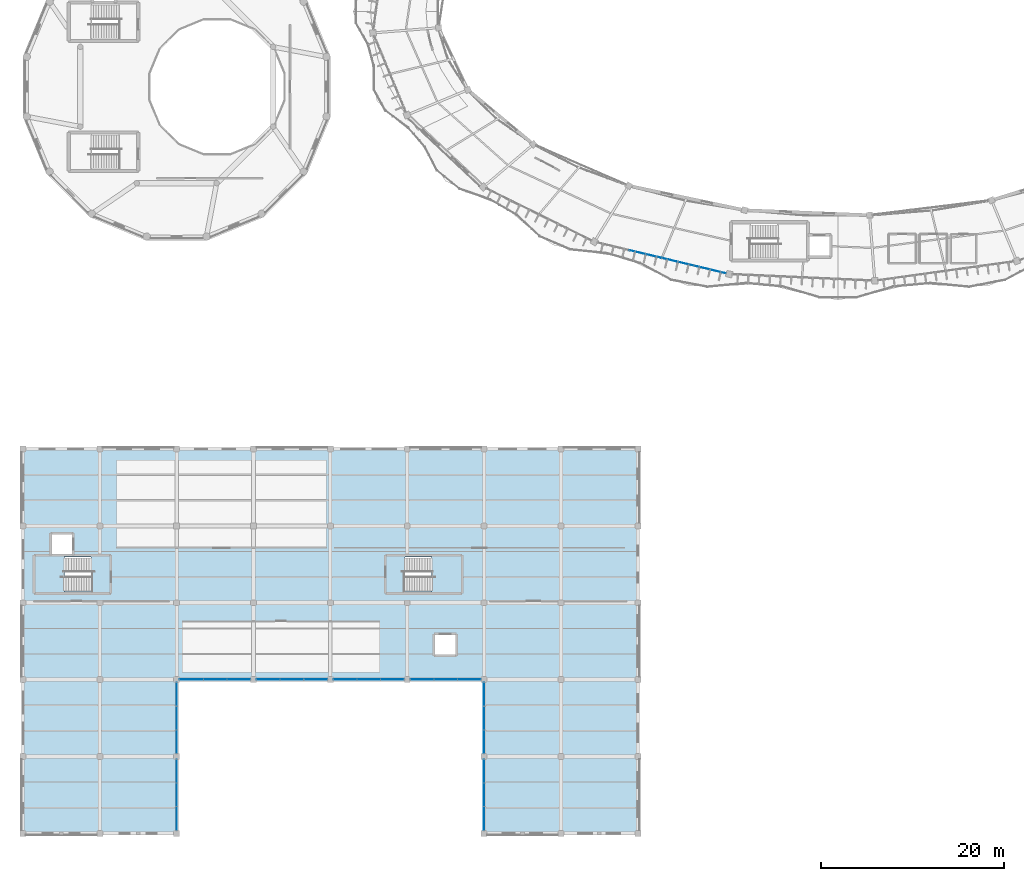
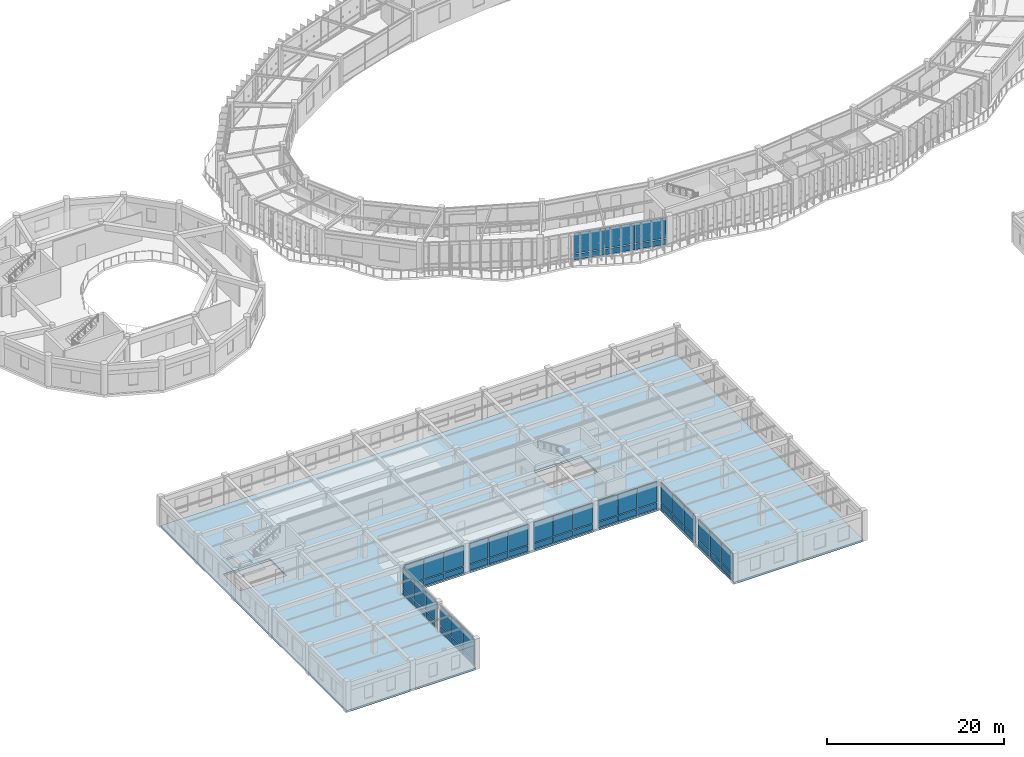
# One storey, part 103 of 138: 54 plates, 3 slabs, 11 elements without a shape of their own.
"""IFC4 building model written with IfcOpenShell, lengths in metres."""

from ifc_helpers import new_model, si_unit, direction, frame, origin, origin_2d, place, context, subcontext, project, spatial, polyline, rectangle, outline, extrude, material, layer, layer_set, type_object, element, aggregate, save


model = new_model("IFC4")

# Units and contexts
model_context = context("Model", 3, precision=1e-05, world=origin(), true_north=direction((0.0, 1.0)))
body_context = subcontext(model_context, "Body", "Model", "MODEL_VIEW")
ifc_project = project(units=[si_unit("LENGTHUNIT", "METRE"), si_unit("AREAUNIT", "SQUARE_METRE"), si_unit("VOLUMEUNIT", "CUBIC_METRE"), si_unit("PLANEANGLEUNIT", "RADIAN"), si_unit("MASSUNIT", "GRAM", prefix="KILO"), si_unit("THERMODYNAMICTEMPERATUREUNIT", "KELVIN"), si_unit("POWERUNIT", "WATT")], contexts=[model_context])

# Site, building, storey
site_placement = place(None, origin())
site = spatial("IfcSite", under=ifc_project, at=site_placement, CompositionType="ELEMENT")
building_placement = place(site_placement, origin())
building = spatial("IfcBuilding", under=site, at=building_placement, Name="Darbajah Civic Hall", CompositionType="ELEMENT")
storey_placement = place(building_placement, frame((0.0, 0.0, 9.60009765625)))
storey = spatial("IfcBuildingStorey", under=building, at=storey_placement, Name="L02", CompositionType="ELEMENT", Elevation=9.60009765625)

# Curtain wall, plates
ifc_material_1 = material(Name="Anodised Bronze Aluminium and Low-E Glazing", Category="aluminium")
curtain_wall_type_1 = type_object("IfcCurtainWallType", Name="Unitised Curtain Wall CW-48 14500x3900", PredefinedType="USERDEFINED", material=ifc_material_1)
curtain_wall_1_placement = place(storey_placement, origin())
curtain_wall_1 = element("IfcCurtainWall", 1, at=curtain_wall_1_placement, inside=storey, type_object=curtain_wall_type_1, Name="L02 unitised curtain wall CW-V1O-L02-13", ObjectType="UNITISED CURTAIN WALL", PredefinedType="USERDEFINED")
ifc_material_2 = material(Name="Low-E Solar Control Double Glazing", Category="glass")
ifc_layer_1 = layer(ifc_material_2, 0.028076171875, Name="Low-E Solar Control Double Glazing")
ifc_layer_set_1 = layer_set([ifc_layer_1], Name="Low-E Solar Control Double Glazing")
plate_type_1 = type_object("IfcPlateType", Name="Solar Double Glazing 28mm", PredefinedType="CURTAIN_PANEL", material=ifc_layer_set_1)
plate_1_placement = place(storey_placement, frame((68.06640625, 63.302001953125, 0.119873046875), z_axis=(0.0, 0.0, 1.0), x_axis=(0.972492018808, -0.232936200179, 0.0)))
plate_1 = element("IfcPlate", 2, at=plate_1_placement, type_object=plate_type_1, Name="CW-V1O-L02-13 glazed panel 2.1", PredefinedType="CURTAIN_PANEL", context=body_context, shape_type="SweptSolid", body=[
    extrude(rectangle(XDim=3.543701171875, YDim=0.028076171875, at=origin_2d()), origin(), (0.0, 0.0, 1.0), 0.77001953125),
])
plate_2_placement = place(storey_placement, frame((68.06640625, 63.302001953125, 1.009765625), z_axis=(0.0, 0.0, 1.0), x_axis=(0.972492018808, -0.232936200179, 0.0)))
plate_2 = element("IfcPlate", 3, at=plate_2_placement, type_object=plate_type_1, Name="CW-V1O-L02-13 glazed panel 2.2", PredefinedType="CURTAIN_PANEL", context=body_context, shape_type="SweptSolid", body=[
    extrude(rectangle(XDim=3.543701171875, YDim=0.028076171875, at=origin_2d()), origin(), (0.0, 0.0, 1.0), 2.7900390625),
])
plate_3_placement = place(storey_placement, frame((71.58056640625, 62.460205078125, 0.119873046875), z_axis=(0.0, 0.0, 1.0), x_axis=(0.972492018808, -0.232936200179, 0.0)))
plate_3 = element("IfcPlate", 4, at=plate_3_placement, type_object=plate_type_1, Name="CW-V1O-L02-13 glazed panel 3.1", PredefinedType="CURTAIN_PANEL", context=body_context, shape_type="SweptSolid", body=[
    extrude(rectangle(XDim=3.543701171875, YDim=0.028076171875, at=origin_2d()), origin(), (0.0, 0.0, 1.0), 0.77001953125),
])
plate_4_placement = place(storey_placement, frame((71.58056640625, 62.460205078125, 1.009765625), z_axis=(0.0, 0.0, 1.0), x_axis=(0.972492018808, -0.232936200179, 0.0)))
plate_4 = element("IfcPlate", 5, at=plate_4_placement, type_object=plate_type_1, Name="CW-V1O-L02-13 glazed panel 3.2", PredefinedType="CURTAIN_PANEL", context=body_context, shape_type="SweptSolid", body=[
    extrude(rectangle(XDim=3.543701171875, YDim=0.028076171875, at=origin_2d()), origin(), (0.0, 0.0, 1.0), 2.7900390625),
])
plate_5_placement = place(storey_placement, frame((75.094970703125, 61.6181640625, 0.119873046875), z_axis=(0.0, 0.0, 1.0), x_axis=(0.972492018808, -0.232936200179, 0.0)))
plate_5 = element("IfcPlate", 6, at=plate_5_placement, type_object=plate_type_1, Name="CW-V1O-L02-13 glazed panel 4.1", PredefinedType="CURTAIN_PANEL", context=body_context, shape_type="SweptSolid", body=[
    extrude(rectangle(XDim=3.543701171875, YDim=0.028076171875, at=origin_2d()), origin(), (0.0, 0.0, 1.0), 0.77001953125),
])
plate_6_placement = place(storey_placement, frame((75.094970703125, 61.6181640625, 1.009765625), z_axis=(0.0, 0.0, 1.0), x_axis=(0.972492018808, -0.232936200179, 0.0)))
plate_6 = element("IfcPlate", 7, at=plate_6_placement, type_object=plate_type_1, Name="CW-V1O-L02-13 glazed panel 4.2", PredefinedType="CURTAIN_PANEL", context=body_context, shape_type="SweptSolid", body=[
    extrude(rectangle(XDim=3.543701171875, YDim=0.028076171875, at=origin_2d()), origin(), (0.0, 0.0, 1.0), 2.7900390625),
])
aggregate(curtain_wall_1, [plate_1, plate_2, plate_3, plate_4, plate_5, plate_6])

curtain_wall_type_2 = type_object("IfcCurtainWallType", Name="Unitised Curtain Wall CW-99 7700x3950", PredefinedType="USERDEFINED", material=ifc_material_1)
curtain_wall_2_placement = place(storey_placement, origin())
curtain_wall_2 = element("IfcCurtainWall", 8, at=curtain_wall_2_placement, inside=storey, type_object=curtain_wall_type_2, Name="L02 unitised curtain wall CW-V5-L02-S1-B0", ObjectType="UNITISED CURTAIN WALL", PredefinedType="USERDEFINED")
ifc_layer_2 = layer(ifc_material_2, 0.031982421875, Name="Low-E Solar Control Double Glazing")
ifc_layer_set_2 = layer_set([ifc_layer_2], Name="Low-E Solar Control Double Glazing")
plate_type_2 = type_object("IfcPlateType", Name="Solar Double Glazing 32mm", PredefinedType="CURTAIN_PANEL", material=ifc_layer_set_2)
plate_7_placement = place(storey_placement, frame((16.800048828125, 1.617919921875, 0.119873046875), z_axis=(0.0, 0.0, 1.0), x_axis=(0.0, 1.0, 0.0)))
plate_7 = element("IfcPlate", 9, at=plate_7_placement, type_object=plate_type_2, Name="CW-V5-L02-S1-B0 glazed panel 1.1", PredefinedType="CURTAIN_PANEL", context=body_context, shape_type="SweptSolid", body=[
    extrude(rectangle(XDim=2.511962890625, YDim=0.031982421875, at=origin_2d()), origin(), (0.0, 0.0, 1.0), 0.77001953125),
])
plate_8_placement = place(storey_placement, frame((16.800048828125, 1.617919921875, 1.009765625), z_axis=(0.0, 0.0, 1.0), x_axis=(0.0, 1.0, 0.0)))
plate_8 = element("IfcPlate", 10, at=plate_8_placement, type_object=plate_type_2, Name="CW-V5-L02-S1-B0 glazed panel 1.2", PredefinedType="CURTAIN_PANEL", context=body_context, shape_type="SweptSolid", body=[
    extrude(rectangle(XDim=2.511962890625, YDim=0.031982421875, at=origin_2d()), origin(), (0.0, 0.0, 1.0), 2.81005859375),
])
plate_9_placement = place(storey_placement, frame((16.800048828125, 4.199951171875, 0.119873046875), z_axis=(0.0, 0.0, 1.0), x_axis=(0.0, 1.0, 0.0)))
plate_9 = element("IfcPlate", 11, at=plate_9_placement, type_object=plate_type_2, Name="CW-V5-L02-S1-B0 glazed panel 2.1", PredefinedType="CURTAIN_PANEL", context=body_context, shape_type="SweptSolid", body=[
    extrude(rectangle(XDim=2.511962890625, YDim=0.031982421875, at=origin_2d()), origin(), (0.0, 0.0, 1.0), 0.77001953125),
])
plate_10_placement = place(storey_placement, frame((16.800048828125, 4.199951171875, 1.009765625), z_axis=(0.0, 0.0, 1.0), x_axis=(0.0, 1.0, 0.0)))
plate_10 = element("IfcPlate", 12, at=plate_10_placement, type_object=plate_type_2, Name="CW-V5-L02-S1-B0 glazed panel 2.2", PredefinedType="CURTAIN_PANEL", context=body_context, shape_type="SweptSolid", body=[
    extrude(rectangle(XDim=2.511962890625, YDim=0.031982421875, at=origin_2d()), origin(), (0.0, 0.0, 1.0), 2.81005859375),
])
plate_11_placement = place(storey_placement, frame((16.800048828125, 6.781982421875, 0.119873046875), z_axis=(0.0, 0.0, 1.0), x_axis=(0.0, 1.0, 0.0)))
plate_11 = element("IfcPlate", 13, at=plate_11_placement, type_object=plate_type_2, Name="CW-V5-L02-S1-B0 glazed panel 3.1", PredefinedType="CURTAIN_PANEL", context=body_context, shape_type="SweptSolid", body=[
    extrude(rectangle(XDim=2.511962890625, YDim=0.031982421875, at=origin_2d()), origin(), (0.0, 0.0, 1.0), 0.77001953125),
])
plate_12_placement = place(storey_placement, frame((16.800048828125, 6.781982421875, 1.009765625), z_axis=(0.0, 0.0, 1.0), x_axis=(0.0, 1.0, 0.0)))
plate_12 = element("IfcPlate", 14, at=plate_12_placement, type_object=plate_type_2, Name="CW-V5-L02-S1-B0 glazed panel 3.2", PredefinedType="CURTAIN_PANEL", context=body_context, shape_type="SweptSolid", body=[
    extrude(rectangle(XDim=2.511962890625, YDim=0.031982421875, at=origin_2d()), origin(), (0.0, 0.0, 1.0), 2.81005859375),
])
aggregate(curtain_wall_2, [plate_7, plate_8, plate_9, plate_10, plate_11, plate_12])

curtain_wall_3_placement = place(storey_placement, origin())
curtain_wall_3 = element("IfcCurtainWall", 15, at=curtain_wall_3_placement, inside=storey, type_object=curtain_wall_type_2, Name="L02 unitised curtain wall CW-V5-L02-S1-B1", ObjectType="UNITISED CURTAIN WALL", PredefinedType="USERDEFINED")
plate_13_placement = place(storey_placement, frame((16.800048828125, 10.01806640625, 0.119873046875), z_axis=(0.0, 0.0, 1.0), x_axis=(0.0, 1.0, 0.0)))
plate_13 = element("IfcPlate", 16, at=plate_13_placement, type_object=plate_type_2, Name="CW-V5-L02-S1-B1 glazed panel 1.1", PredefinedType="CURTAIN_PANEL", context=body_context, shape_type="SweptSolid", body=[
    extrude(rectangle(XDim=2.511962890625, YDim=0.031982421875, at=origin_2d()), origin(), (0.0, 0.0, 1.0), 0.77001953125),
])
plate_14_placement = place(storey_placement, frame((16.800048828125, 10.01806640625, 1.009765625), z_axis=(0.0, 0.0, 1.0), x_axis=(0.0, 1.0, 0.0)))
plate_14 = element("IfcPlate", 17, at=plate_14_placement, type_object=plate_type_2, Name="CW-V5-L02-S1-B1 glazed panel 1.2", PredefinedType="CURTAIN_PANEL", context=body_context, shape_type="SweptSolid", body=[
    extrude(rectangle(XDim=2.511962890625, YDim=0.031982421875, at=origin_2d()), origin(), (0.0, 0.0, 1.0), 2.81005859375),
])
plate_15_placement = place(storey_placement, frame((16.800048828125, 12.60009765625, 0.119873046875), z_axis=(0.0, 0.0, 1.0), x_axis=(0.0, 1.0, 0.0)))
plate_15 = element("IfcPlate", 18, at=plate_15_placement, type_object=plate_type_2, Name="CW-V5-L02-S1-B1 glazed panel 2.1", PredefinedType="CURTAIN_PANEL", context=body_context, shape_type="SweptSolid", body=[
    extrude(rectangle(XDim=2.511962890625, YDim=0.031982421875, at=origin_2d()), origin(), (0.0, 0.0, 1.0), 0.77001953125),
])
plate_16_placement = place(storey_placement, frame((16.800048828125, 12.60009765625, 1.009765625), z_axis=(0.0, 0.0, 1.0), x_axis=(0.0, 1.0, 0.0)))
plate_16 = element("IfcPlate", 19, at=plate_16_placement, type_object=plate_type_2, Name="CW-V5-L02-S1-B1 glazed panel 2.2", PredefinedType="CURTAIN_PANEL", context=body_context, shape_type="SweptSolid", body=[
    extrude(rectangle(XDim=2.511962890625, YDim=0.031982421875, at=origin_2d()), origin(), (0.0, 0.0, 1.0), 2.81005859375),
])
plate_17_placement = place(storey_placement, frame((16.800048828125, 15.181884765625, 0.119873046875), z_axis=(0.0, 0.0, 1.0), x_axis=(0.0, 1.0, 0.0)))
plate_17 = element("IfcPlate", 20, at=plate_17_placement, type_object=plate_type_2, Name="CW-V5-L02-S1-B1 glazed panel 3.1", PredefinedType="CURTAIN_PANEL", context=body_context, shape_type="SweptSolid", body=[
    extrude(rectangle(XDim=2.511962890625, YDim=0.031982421875, at=origin_2d()), origin(), (0.0, 0.0, 1.0), 0.77001953125),
])
plate_18_placement = place(storey_placement, frame((16.800048828125, 15.181884765625, 1.009765625), z_axis=(0.0, 0.0, 1.0), x_axis=(0.0, 1.0, 0.0)))
plate_18 = element("IfcPlate", 21, at=plate_18_placement, type_object=plate_type_2, Name="CW-V5-L02-S1-B1 glazed panel 3.2", PredefinedType="CURTAIN_PANEL", context=body_context, shape_type="SweptSolid", body=[
    extrude(rectangle(XDim=2.511962890625, YDim=0.031982421875, at=origin_2d()), origin(), (0.0, 0.0, 1.0), 2.81005859375),
])
aggregate(curtain_wall_3, [plate_13, plate_14, plate_15, plate_16, plate_17, plate_18])

curtain_wall_4_placement = place(storey_placement, origin())
curtain_wall_4 = element("IfcCurtainWall", 22, at=curtain_wall_4_placement, inside=storey, type_object=curtain_wall_type_2, Name="L02 unitised curtain wall CW-V5-L02-S2-B0", ObjectType="UNITISED CURTAIN WALL", PredefinedType="USERDEFINED")
plate_19_placement = place(storey_placement, frame((18.41796875, 16.800048828125, 0.119873046875), z_axis=(0.0, 0.0, 1.0), x_axis=(1.0, 0.0, 0.0)))
plate_19 = element("IfcPlate", 23, at=plate_19_placement, type_object=plate_type_2, Name="CW-V5-L02-S2-B0 glazed panel 1.1", PredefinedType="CURTAIN_PANEL", context=body_context, shape_type="SweptSolid", body=[
    extrude(rectangle(XDim=2.511962890625, YDim=0.031982421875, at=origin_2d()), origin(), (0.0, 0.0, 1.0), 0.77001953125),
])
plate_20_placement = place(storey_placement, frame((18.41796875, 16.800048828125, 1.009765625), z_axis=(0.0, 0.0, 1.0), x_axis=(1.0, 0.0, 0.0)))
plate_20 = element("IfcPlate", 24, at=plate_20_placement, type_object=plate_type_2, Name="CW-V5-L02-S2-B0 glazed panel 1.2", PredefinedType="CURTAIN_PANEL", context=body_context, shape_type="SweptSolid", body=[
    extrude(rectangle(XDim=2.511962890625, YDim=0.031982421875, at=origin_2d()), origin(), (0.0, 0.0, 1.0), 2.81005859375),
])
plate_21_placement = place(storey_placement, frame((21.0, 16.800048828125, 0.119873046875), z_axis=(0.0, 0.0, 1.0), x_axis=(1.0, 0.0, 0.0)))
plate_21 = element("IfcPlate", 25, at=plate_21_placement, type_object=plate_type_2, Name="CW-V5-L02-S2-B0 glazed panel 2.1", PredefinedType="CURTAIN_PANEL", context=body_context, shape_type="SweptSolid", body=[
    extrude(rectangle(XDim=2.511962890625, YDim=0.031982421875, at=origin_2d()), origin(), (0.0, 0.0, 1.0), 0.77001953125),
])
plate_22_placement = place(storey_placement, frame((21.0, 16.800048828125, 1.009765625), z_axis=(0.0, 0.0, 1.0), x_axis=(1.0, 0.0, 0.0)))
plate_22 = element("IfcPlate", 26, at=plate_22_placement, type_object=plate_type_2, Name="CW-V5-L02-S2-B0 glazed panel 2.2", PredefinedType="CURTAIN_PANEL", context=body_context, shape_type="SweptSolid", body=[
    extrude(rectangle(XDim=2.511962890625, YDim=0.031982421875, at=origin_2d()), origin(), (0.0, 0.0, 1.0), 2.81005859375),
])
plate_23_placement = place(storey_placement, frame((23.58203125, 16.800048828125, 0.119873046875), z_axis=(0.0, 0.0, 1.0), x_axis=(1.0, 0.0, 0.0)))
plate_23 = element("IfcPlate", 27, at=plate_23_placement, type_object=plate_type_2, Name="CW-V5-L02-S2-B0 glazed panel 3.1", PredefinedType="CURTAIN_PANEL", context=body_context, shape_type="SweptSolid", body=[
    extrude(rectangle(XDim=2.511962890625, YDim=0.031982421875, at=origin_2d()), origin(), (0.0, 0.0, 1.0), 0.77001953125),
])
plate_24_placement = place(storey_placement, frame((23.58203125, 16.800048828125, 1.009765625), z_axis=(0.0, 0.0, 1.0), x_axis=(1.0, 0.0, 0.0)))
plate_24 = element("IfcPlate", 28, at=plate_24_placement, type_object=plate_type_2, Name="CW-V5-L02-S2-B0 glazed panel 3.2", PredefinedType="CURTAIN_PANEL", context=body_context, shape_type="SweptSolid", body=[
    extrude(rectangle(XDim=2.511962890625, YDim=0.031982421875, at=origin_2d()), origin(), (0.0, 0.0, 1.0), 2.81005859375),
])
aggregate(curtain_wall_4, [plate_19, plate_20, plate_21, plate_22, plate_23, plate_24])

curtain_wall_5_placement = place(storey_placement, origin())
curtain_wall_5 = element("IfcCurtainWall", 29, at=curtain_wall_5_placement, inside=storey, type_object=curtain_wall_type_2, Name="L02 unitised curtain wall CW-V5-L02-S2-B1", ObjectType="UNITISED CURTAIN WALL", PredefinedType="USERDEFINED")
plate_25_placement = place(storey_placement, frame((26.818115234375, 16.800048828125, 0.119873046875), z_axis=(0.0, 0.0, 1.0), x_axis=(1.0, 0.0, 0.0)))
plate_25 = element("IfcPlate", 30, at=plate_25_placement, type_object=plate_type_2, Name="CW-V5-L02-S2-B1 glazed panel 1.1", PredefinedType="CURTAIN_PANEL", context=body_context, shape_type="SweptSolid", body=[
    extrude(rectangle(XDim=2.511962890625, YDim=0.031982421875, at=origin_2d()), origin(), (0.0, 0.0, 1.0), 0.77001953125),
])
plate_26_placement = place(storey_placement, frame((26.818115234375, 16.800048828125, 1.009765625), z_axis=(0.0, 0.0, 1.0), x_axis=(1.0, 0.0, 0.0)))
plate_26 = element("IfcPlate", 31, at=plate_26_placement, type_object=plate_type_2, Name="CW-V5-L02-S2-B1 glazed panel 1.2", PredefinedType="CURTAIN_PANEL", context=body_context, shape_type="SweptSolid", body=[
    extrude(rectangle(XDim=2.511962890625, YDim=0.031982421875, at=origin_2d()), origin(), (0.0, 0.0, 1.0), 2.81005859375),
])
plate_27_placement = place(storey_placement, frame((29.39990234375, 16.800048828125, 0.119873046875), z_axis=(0.0, 0.0, 1.0), x_axis=(1.0, 0.0, 0.0)))
plate_27 = element("IfcPlate", 32, at=plate_27_placement, type_object=plate_type_2, Name="CW-V5-L02-S2-B1 glazed panel 2.1", PredefinedType="CURTAIN_PANEL", context=body_context, shape_type="SweptSolid", body=[
    extrude(rectangle(XDim=2.511962890625, YDim=0.031982421875, at=origin_2d()), origin(), (0.0, 0.0, 1.0), 0.77001953125),
])
plate_28_placement = place(storey_placement, frame((29.39990234375, 16.800048828125, 1.009765625), z_axis=(0.0, 0.0, 1.0), x_axis=(1.0, 0.0, 0.0)))
plate_28 = element("IfcPlate", 33, at=plate_28_placement, type_object=plate_type_2, Name="CW-V5-L02-S2-B1 glazed panel 2.2", PredefinedType="CURTAIN_PANEL", context=body_context, shape_type="SweptSolid", body=[
    extrude(rectangle(XDim=2.511962890625, YDim=0.031982421875, at=origin_2d()), origin(), (0.0, 0.0, 1.0), 2.81005859375),
])
plate_29_placement = place(storey_placement, frame((31.98193359375, 16.800048828125, 0.119873046875), z_axis=(0.0, 0.0, 1.0), x_axis=(1.0, 0.0, 0.0)))
plate_29 = element("IfcPlate", 34, at=plate_29_placement, type_object=plate_type_2, Name="CW-V5-L02-S2-B1 glazed panel 3.1", PredefinedType="CURTAIN_PANEL", context=body_context, shape_type="SweptSolid", body=[
    extrude(rectangle(XDim=2.511962890625, YDim=0.031982421875, at=origin_2d()), origin(), (0.0, 0.0, 1.0), 0.77001953125),
])
plate_30_placement = place(storey_placement, frame((31.98193359375, 16.800048828125, 1.009765625), z_axis=(0.0, 0.0, 1.0), x_axis=(1.0, 0.0, 0.0)))
plate_30 = element("IfcPlate", 35, at=plate_30_placement, type_object=plate_type_2, Name="CW-V5-L02-S2-B1 glazed panel 3.2", PredefinedType="CURTAIN_PANEL", context=body_context, shape_type="SweptSolid", body=[
    extrude(rectangle(XDim=2.511962890625, YDim=0.031982421875, at=origin_2d()), origin(), (0.0, 0.0, 1.0), 2.81005859375),
])
aggregate(curtain_wall_5, [plate_25, plate_26, plate_27, plate_28, plate_29, plate_30])

curtain_wall_6_placement = place(storey_placement, origin())
curtain_wall_6 = element("IfcCurtainWall", 36, at=curtain_wall_6_placement, inside=storey, type_object=curtain_wall_type_2, Name="L02 unitised curtain wall CW-V5-L02-S2-B2", ObjectType="UNITISED CURTAIN WALL", PredefinedType="USERDEFINED")
plate_31_placement = place(storey_placement, frame((35.218017578125, 16.800048828125, 0.119873046875), z_axis=(0.0, 0.0, 1.0), x_axis=(1.0, 0.0, 0.0)))
plate_31 = element("IfcPlate", 37, at=plate_31_placement, type_object=plate_type_2, Name="CW-V5-L02-S2-B2 glazed panel 1.1", PredefinedType="CURTAIN_PANEL", context=body_context, shape_type="SweptSolid", body=[
    extrude(rectangle(XDim=2.511962890625, YDim=0.031982421875, at=origin_2d()), origin(), (0.0, 0.0, 1.0), 0.77001953125),
])
plate_32_placement = place(storey_placement, frame((35.218017578125, 16.800048828125, 1.009765625), z_axis=(0.0, 0.0, 1.0), x_axis=(1.0, 0.0, 0.0)))
plate_32 = element("IfcPlate", 38, at=plate_32_placement, type_object=plate_type_2, Name="CW-V5-L02-S2-B2 glazed panel 1.2", PredefinedType="CURTAIN_PANEL", context=body_context, shape_type="SweptSolid", body=[
    extrude(rectangle(XDim=2.511962890625, YDim=0.031982421875, at=origin_2d()), origin(), (0.0, 0.0, 1.0), 2.81005859375),
])
plate_33_placement = place(storey_placement, frame((37.800048828125, 16.800048828125, 0.119873046875), z_axis=(0.0, 0.0, 1.0), x_axis=(1.0, 0.0, 0.0)))
plate_33 = element("IfcPlate", 39, at=plate_33_placement, type_object=plate_type_2, Name="CW-V5-L02-S2-B2 glazed panel 2.1", PredefinedType="CURTAIN_PANEL", context=body_context, shape_type="SweptSolid", body=[
    extrude(rectangle(XDim=2.511962890625, YDim=0.031982421875, at=origin_2d()), origin(), (0.0, 0.0, 1.0), 0.77001953125),
])
plate_34_placement = place(storey_placement, frame((37.800048828125, 16.800048828125, 1.009765625), z_axis=(0.0, 0.0, 1.0), x_axis=(1.0, 0.0, 0.0)))
plate_34 = element("IfcPlate", 40, at=plate_34_placement, type_object=plate_type_2, Name="CW-V5-L02-S2-B2 glazed panel 2.2", PredefinedType="CURTAIN_PANEL", context=body_context, shape_type="SweptSolid", body=[
    extrude(rectangle(XDim=2.511962890625, YDim=0.031982421875, at=origin_2d()), origin(), (0.0, 0.0, 1.0), 2.81005859375),
])
plate_35_placement = place(storey_placement, frame((40.382080078125, 16.800048828125, 0.119873046875), z_axis=(0.0, 0.0, 1.0), x_axis=(1.0, 0.0, 0.0)))
plate_35 = element("IfcPlate", 41, at=plate_35_placement, type_object=plate_type_2, Name="CW-V5-L02-S2-B2 glazed panel 3.1", PredefinedType="CURTAIN_PANEL", context=body_context, shape_type="SweptSolid", body=[
    extrude(rectangle(XDim=2.511962890625, YDim=0.031982421875, at=origin_2d()), origin(), (0.0, 0.0, 1.0), 0.77001953125),
])
plate_36_placement = place(storey_placement, frame((40.382080078125, 16.800048828125, 1.009765625), z_axis=(0.0, 0.0, 1.0), x_axis=(1.0, 0.0, 0.0)))
plate_36 = element("IfcPlate", 42, at=plate_36_placement, type_object=plate_type_2, Name="CW-V5-L02-S2-B2 glazed panel 3.2", PredefinedType="CURTAIN_PANEL", context=body_context, shape_type="SweptSolid", body=[
    extrude(rectangle(XDim=2.511962890625, YDim=0.031982421875, at=origin_2d()), origin(), (0.0, 0.0, 1.0), 2.81005859375),
])
aggregate(curtain_wall_6, [plate_31, plate_32, plate_33, plate_34, plate_35, plate_36])

curtain_wall_7_placement = place(storey_placement, origin())
curtain_wall_7 = element("IfcCurtainWall", 43, at=curtain_wall_7_placement, inside=storey, type_object=curtain_wall_type_2, Name="L02 unitised curtain wall CW-V5-L02-S2-B3", ObjectType="UNITISED CURTAIN WALL", PredefinedType="USERDEFINED")
plate_37_placement = place(storey_placement, frame((43.617919921875, 16.800048828125, 0.119873046875), z_axis=(0.0, 0.0, 1.0), x_axis=(1.0, 0.0, 0.0)))
plate_37 = element("IfcPlate", 44, at=plate_37_placement, type_object=plate_type_2, Name="CW-V5-L02-S2-B3 glazed panel 1.1", PredefinedType="CURTAIN_PANEL", context=body_context, shape_type="SweptSolid", body=[
    extrude(rectangle(XDim=2.511962890625, YDim=0.031982421875, at=origin_2d()), origin(), (0.0, 0.0, 1.0), 0.77001953125),
])
plate_38_placement = place(storey_placement, frame((43.617919921875, 16.800048828125, 1.009765625), z_axis=(0.0, 0.0, 1.0), x_axis=(1.0, 0.0, 0.0)))
plate_38 = element("IfcPlate", 45, at=plate_38_placement, type_object=plate_type_2, Name="CW-V5-L02-S2-B3 glazed panel 1.2", PredefinedType="CURTAIN_PANEL", context=body_context, shape_type="SweptSolid", body=[
    extrude(rectangle(XDim=2.511962890625, YDim=0.031982421875, at=origin_2d()), origin(), (0.0, 0.0, 1.0), 2.81005859375),
])
plate_39_placement = place(storey_placement, frame((46.199951171875, 16.800048828125, 0.119873046875), z_axis=(0.0, 0.0, 1.0), x_axis=(1.0, 0.0, 0.0)))
plate_39 = element("IfcPlate", 46, at=plate_39_placement, type_object=plate_type_2, Name="CW-V5-L02-S2-B3 glazed panel 2.1", PredefinedType="CURTAIN_PANEL", context=body_context, shape_type="SweptSolid", body=[
    extrude(rectangle(XDim=2.511962890625, YDim=0.031982421875, at=origin_2d()), origin(), (0.0, 0.0, 1.0), 0.77001953125),
])
plate_40_placement = place(storey_placement, frame((46.199951171875, 16.800048828125, 1.009765625), z_axis=(0.0, 0.0, 1.0), x_axis=(1.0, 0.0, 0.0)))
plate_40 = element("IfcPlate", 47, at=plate_40_placement, type_object=plate_type_2, Name="CW-V5-L02-S2-B3 glazed panel 2.2", PredefinedType="CURTAIN_PANEL", context=body_context, shape_type="SweptSolid", body=[
    extrude(rectangle(XDim=2.511962890625, YDim=0.031982421875, at=origin_2d()), origin(), (0.0, 0.0, 1.0), 2.81005859375),
])
plate_41_placement = place(storey_placement, frame((48.781982421875, 16.800048828125, 0.119873046875), z_axis=(0.0, 0.0, 1.0), x_axis=(1.0, 0.0, 0.0)))
plate_41 = element("IfcPlate", 48, at=plate_41_placement, type_object=plate_type_2, Name="CW-V5-L02-S2-B3 glazed panel 3.1", PredefinedType="CURTAIN_PANEL", context=body_context, shape_type="SweptSolid", body=[
    extrude(rectangle(XDim=2.511962890625, YDim=0.031982421875, at=origin_2d()), origin(), (0.0, 0.0, 1.0), 0.77001953125),
])
plate_42_placement = place(storey_placement, frame((48.781982421875, 16.800048828125, 1.009765625), z_axis=(0.0, 0.0, 1.0), x_axis=(1.0, 0.0, 0.0)))
plate_42 = element("IfcPlate", 49, at=plate_42_placement, type_object=plate_type_2, Name="CW-V5-L02-S2-B3 glazed panel 3.2", PredefinedType="CURTAIN_PANEL", context=body_context, shape_type="SweptSolid", body=[
    extrude(rectangle(XDim=2.511962890625, YDim=0.031982421875, at=origin_2d()), origin(), (0.0, 0.0, 1.0), 2.81005859375),
])
aggregate(curtain_wall_7, [plate_37, plate_38, plate_39, plate_40, plate_41, plate_42])

curtain_wall_8_placement = place(storey_placement, origin())
curtain_wall_8 = element("IfcCurtainWall", 50, at=curtain_wall_8_placement, inside=storey, type_object=curtain_wall_type_2, Name="L02 unitised curtain wall CW-V5-L02-S3-B0", ObjectType="UNITISED CURTAIN WALL", PredefinedType="USERDEFINED")
plate_43_placement = place(storey_placement, frame((50.39990234375, 15.181884765625, 0.119873046875), z_axis=(0.0, 0.0, 1.0), x_axis=(0.0, -1.0, 0.0)))
plate_43 = element("IfcPlate", 51, at=plate_43_placement, type_object=plate_type_2, Name="CW-V5-L02-S3-B0 glazed panel 1.1", PredefinedType="CURTAIN_PANEL", context=body_context, shape_type="SweptSolid", body=[
    extrude(rectangle(XDim=2.511962890625, YDim=0.031982421875, at=origin_2d()), origin(), (0.0, 0.0, 1.0), 0.77001953125),
])
plate_44_placement = place(storey_placement, frame((50.39990234375, 15.181884765625, 1.009765625), z_axis=(0.0, 0.0, 1.0), x_axis=(0.0, -1.0, 0.0)))
plate_44 = element("IfcPlate", 52, at=plate_44_placement, type_object=plate_type_2, Name="CW-V5-L02-S3-B0 glazed panel 1.2", PredefinedType="CURTAIN_PANEL", context=body_context, shape_type="SweptSolid", body=[
    extrude(rectangle(XDim=2.511962890625, YDim=0.031982421875, at=origin_2d()), origin(), (0.0, 0.0, 1.0), 2.81005859375),
])
plate_45_placement = place(storey_placement, frame((50.39990234375, 12.60009765625, 0.119873046875), z_axis=(0.0, 0.0, 1.0), x_axis=(0.0, -1.0, 0.0)))
plate_45 = element("IfcPlate", 53, at=plate_45_placement, type_object=plate_type_2, Name="CW-V5-L02-S3-B0 glazed panel 2.1", PredefinedType="CURTAIN_PANEL", context=body_context, shape_type="SweptSolid", body=[
    extrude(rectangle(XDim=2.511962890625, YDim=0.031982421875, at=origin_2d()), origin(), (0.0, 0.0, 1.0), 0.77001953125),
])
plate_46_placement = place(storey_placement, frame((50.39990234375, 12.60009765625, 1.009765625), z_axis=(0.0, 0.0, 1.0), x_axis=(0.0, -1.0, 0.0)))
plate_46 = element("IfcPlate", 54, at=plate_46_placement, type_object=plate_type_2, Name="CW-V5-L02-S3-B0 glazed panel 2.2", PredefinedType="CURTAIN_PANEL", context=body_context, shape_type="SweptSolid", body=[
    extrude(rectangle(XDim=2.511962890625, YDim=0.031982421875, at=origin_2d()), origin(), (0.0, 0.0, 1.0), 2.81005859375),
])
plate_47_placement = place(storey_placement, frame((50.39990234375, 10.01806640625, 0.119873046875), z_axis=(0.0, 0.0, 1.0), x_axis=(0.0, -1.0, 0.0)))
plate_47 = element("IfcPlate", 55, at=plate_47_placement, type_object=plate_type_2, Name="CW-V5-L02-S3-B0 glazed panel 3.1", PredefinedType="CURTAIN_PANEL", context=body_context, shape_type="SweptSolid", body=[
    extrude(rectangle(XDim=2.511962890625, YDim=0.031982421875, at=origin_2d()), origin(), (0.0, 0.0, 1.0), 0.77001953125),
])
plate_48_placement = place(storey_placement, frame((50.39990234375, 10.01806640625, 1.009765625), z_axis=(0.0, 0.0, 1.0), x_axis=(0.0, -1.0, 0.0)))
plate_48 = element("IfcPlate", 56, at=plate_48_placement, type_object=plate_type_2, Name="CW-V5-L02-S3-B0 glazed panel 3.2", PredefinedType="CURTAIN_PANEL", context=body_context, shape_type="SweptSolid", body=[
    extrude(rectangle(XDim=2.511962890625, YDim=0.031982421875, at=origin_2d()), origin(), (0.0, 0.0, 1.0), 2.81005859375),
])
aggregate(curtain_wall_8, [plate_43, plate_44, plate_45, plate_46, plate_47, plate_48])

curtain_wall_9_placement = place(storey_placement, origin())
curtain_wall_9 = element("IfcCurtainWall", 57, at=curtain_wall_9_placement, inside=storey, type_object=curtain_wall_type_2, Name="L02 unitised curtain wall CW-V5-L02-S3-B1", ObjectType="UNITISED CURTAIN WALL", PredefinedType="USERDEFINED")
plate_49_placement = place(storey_placement, frame((50.39990234375, 6.781982421875, 0.119873046875), z_axis=(0.0, 0.0, 1.0), x_axis=(0.0, -1.0, 0.0)))
plate_49 = element("IfcPlate", 58, at=plate_49_placement, type_object=plate_type_2, Name="CW-V5-L02-S3-B1 glazed panel 1.1", PredefinedType="CURTAIN_PANEL", context=body_context, shape_type="SweptSolid", body=[
    extrude(rectangle(XDim=2.511962890625, YDim=0.031982421875, at=origin_2d()), origin(), (0.0, 0.0, 1.0), 0.77001953125),
])
plate_50_placement = place(storey_placement, frame((50.39990234375, 6.781982421875, 1.009765625), z_axis=(0.0, 0.0, 1.0), x_axis=(0.0, -1.0, 0.0)))
plate_50 = element("IfcPlate", 59, at=plate_50_placement, type_object=plate_type_2, Name="CW-V5-L02-S3-B1 glazed panel 1.2", PredefinedType="CURTAIN_PANEL", context=body_context, shape_type="SweptSolid", body=[
    extrude(rectangle(XDim=2.511962890625, YDim=0.031982421875, at=origin_2d()), origin(), (0.0, 0.0, 1.0), 2.81005859375),
])
plate_51_placement = place(storey_placement, frame((50.39990234375, 4.199951171875, 0.119873046875), z_axis=(0.0, 0.0, 1.0), x_axis=(0.0, -1.0, 0.0)))
plate_51 = element("IfcPlate", 60, at=plate_51_placement, type_object=plate_type_2, Name="CW-V5-L02-S3-B1 glazed panel 2.1", PredefinedType="CURTAIN_PANEL", context=body_context, shape_type="SweptSolid", body=[
    extrude(rectangle(XDim=2.511962890625, YDim=0.031982421875, at=origin_2d()), origin(), (0.0, 0.0, 1.0), 0.77001953125),
])
plate_52_placement = place(storey_placement, frame((50.39990234375, 4.199951171875, 1.009765625), z_axis=(0.0, 0.0, 1.0), x_axis=(0.0, -1.0, 0.0)))
plate_52 = element("IfcPlate", 61, at=plate_52_placement, type_object=plate_type_2, Name="CW-V5-L02-S3-B1 glazed panel 2.2", PredefinedType="CURTAIN_PANEL", context=body_context, shape_type="SweptSolid", body=[
    extrude(rectangle(XDim=2.511962890625, YDim=0.031982421875, at=origin_2d()), origin(), (0.0, 0.0, 1.0), 2.81005859375),
])
plate_53_placement = place(storey_placement, frame((50.39990234375, 1.617919921875, 0.119873046875), z_axis=(0.0, 0.0, 1.0), x_axis=(0.0, -1.0, 0.0)))
plate_53 = element("IfcPlate", 62, at=plate_53_placement, type_object=plate_type_2, Name="CW-V5-L02-S3-B1 glazed panel 3.1", PredefinedType="CURTAIN_PANEL", context=body_context, shape_type="SweptSolid", body=[
    extrude(rectangle(XDim=2.511962890625, YDim=0.031982421875, at=origin_2d()), origin(), (0.0, 0.0, 1.0), 0.77001953125),
])
plate_54_placement = place(storey_placement, frame((50.39990234375, 1.617919921875, 1.009765625), z_axis=(0.0, 0.0, 1.0), x_axis=(0.0, -1.0, 0.0)))
plate_54 = element("IfcPlate", 63, at=plate_54_placement, type_object=plate_type_2, Name="CW-V5-L02-S3-B1 glazed panel 3.2", PredefinedType="CURTAIN_PANEL", context=body_context, shape_type="SweptSolid", body=[
    extrude(rectangle(XDim=2.511962890625, YDim=0.031982421875, at=origin_2d()), origin(), (0.0, 0.0, 1.0), 2.81005859375),
])
aggregate(curtain_wall_9, [plate_49, plate_50, plate_51, plate_52, plate_53, plate_54])

# Stair, slab
ifc_material_3 = material(Name="Concrete C45/55", Category="concrete")
stair_type = type_object("IfcStairType", Name="Half Turn Stair 1650x4200", PredefinedType="HALF_TURN_STAIR", material=ifc_material_3)
stair_1_placement = place(storey_placement, origin())
stair_1 = element("IfcStair", 64, at=stair_1_placement, inside=storey, type_object=stair_type, Name="L02 enclosed exit stair ST10", PredefinedType="HALF_TURN_STAIR")
ifc_layer_3 = layer(ifc_material_3, 0.199951171875, Name="Concrete C45/55")
ifc_layer_set_3 = layer_set([ifc_layer_3], Name="Concrete C45/55")
slab_type_1 = type_object("IfcSlabType", Name="Stair Landing Slab 200mm", PredefinedType="LANDING", material=ifc_layer_set_3)
slab_1_placement = place(storey_placement, frame((0.0, 0.0, 1.89990234375)))
slab_1 = element("IfcSlab", 65, at=slab_1_placement, type_object=slab_type_1, Name="ST10 L02 half-landing", PredefinedType="LANDING", context=body_context, shape_type="SweptSolid", body=[
    extrude(outline(polyline([(1.199951171875, 26.199951171875), (4.56005859375, 26.199951171875), (4.56005859375, 30.39990234375), (1.199951171875, 30.39990234375), (1.199951171875, 26.199951171875)])), origin(), (0.0, 0.0, 1.0), 0.199951171875),
])
aggregate(stair_1, [slab_1])

stair_2_placement = place(storey_placement, origin())
stair_2 = element("IfcStair", 66, at=stair_2_placement, inside=storey, type_object=stair_type, Name="L02 enclosed exit stair ST11", PredefinedType="HALF_TURN_STAIR")
slab_2_placement = place(storey_placement, frame((0.0, 0.0, 1.89990234375)))
slab_2 = element("IfcSlab", 67, at=slab_2_placement, type_object=slab_type_1, Name="ST11 L02 half-landing", PredefinedType="LANDING", context=body_context, shape_type="SweptSolid", body=[
    extrude(outline(polyline([(44.639892578125, 26.199951171875), (48.0, 26.199951171875), (48.0, 30.39990234375), (44.639892578125, 30.39990234375), (44.639892578125, 26.199951171875)])), origin(), (0.0, 0.0, 1.0), 0.199951171875),
])
aggregate(stair_2, [slab_2])

# Slab
ifc_layer_4 = layer(ifc_material_3, 0.260009765625, Name="Concrete C45/55")
ifc_layer_set_4 = layer_set([ifc_layer_4], Name="Concrete C45/55")
slab_type_2 = type_object("IfcSlabType", Name="Structural Floor Slab 260mm", PredefinedType="FLOOR", material=ifc_layer_set_4)
slab_3_placement = place(storey_placement, frame((0.0, 0.0, -0.260009765625)))
element("IfcSlab", 68, at=slab_3_placement, inside=storey, type_object=slab_type_2, Name="L02 Committee Cloister floor slab", PredefinedType="FLOOR", context=body_context, shape_type="SweptSolid", body=[
    extrude(outline(polyline([(0.0, 0.0), (16.800048828125, 0.0), (16.800048828125, 16.800048828125), (50.39990234375, 16.800048828125), (50.39990234375, 0.0), (67.199951171875, 0.0), (67.199951171875, 42.0), (0.0, 42.0), (0.0, 0.0)]), holes=[polyline([(1.340087890625, 30.179931640625), (7.419921875, 30.179931640625), (7.419921875, 26.419921875), (1.340087890625, 26.419921875), (1.340087890625, 30.179931640625)]), polyline([(3.14990234375, 32.64990234375), (5.35009765625, 32.64990234375), (5.35009765625, 30.550048828125), (3.14990234375, 30.550048828125), (3.14990234375, 32.64990234375)]), polyline([(41.780029296875, 30.179931640625), (47.860107421875, 30.179931640625), (47.860107421875, 26.419921875), (41.780029296875, 26.419921875), (41.780029296875, 30.179931640625)]), polyline([(45.050048828125, 21.64990234375), (47.25, 21.64990234375), (47.25, 19.550048828125), (45.050048828125, 19.550048828125), (45.050048828125, 21.64990234375)])]), origin(), (0.0, 0.0, 1.0), 0.260009765625),
])

save(model, "model.ifc")
